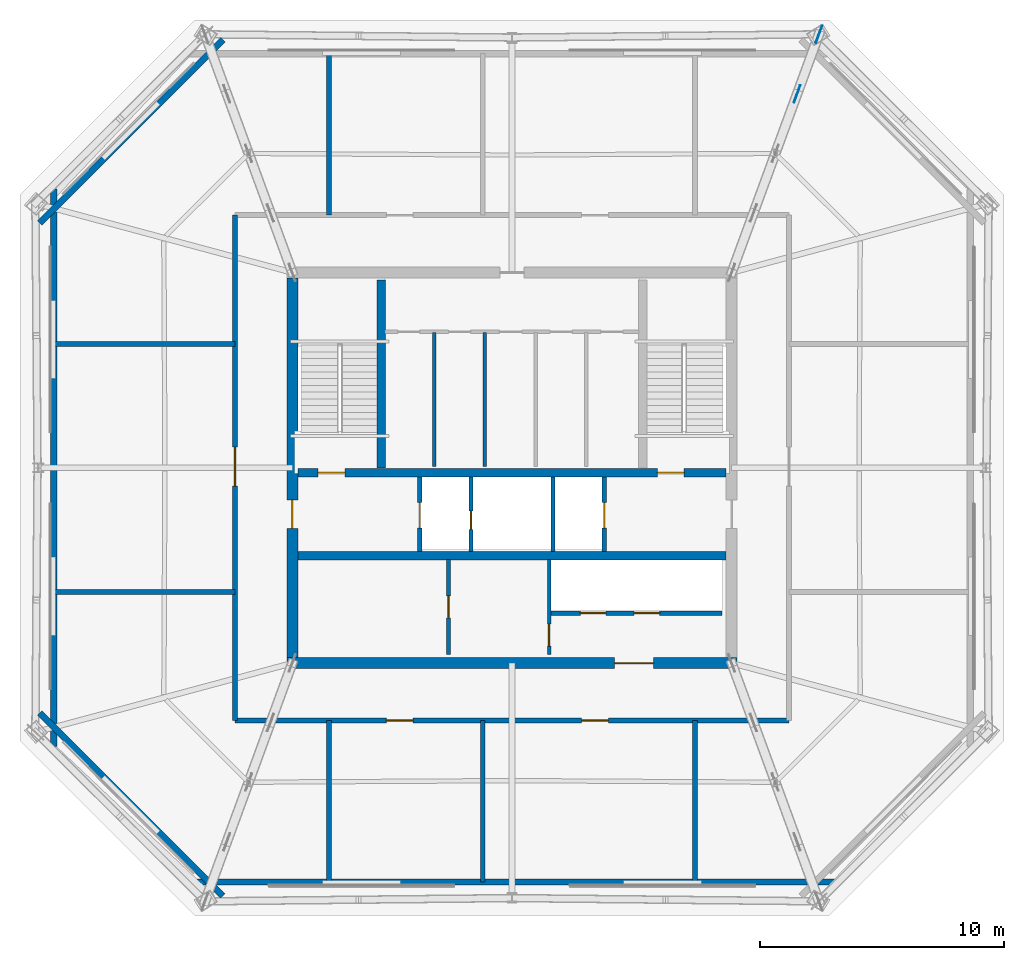
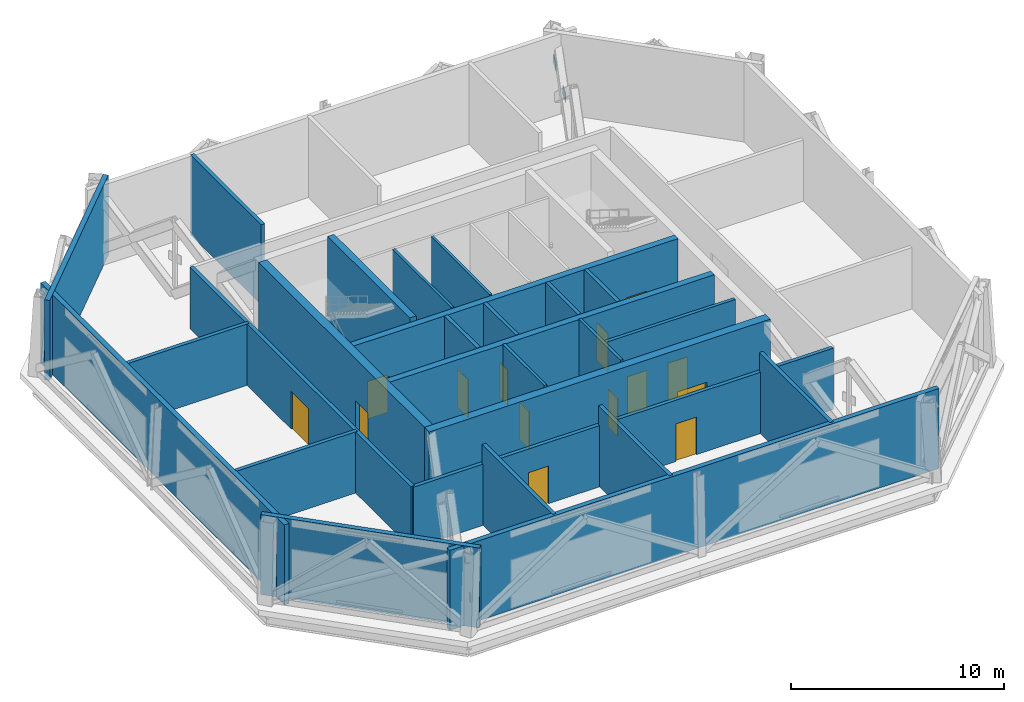
# One storey, part 7 of 10: 26 walls, 14 doors, 2 plates, 14 openings.
"""IFC4 building model written with IfcOpenShell, lengths in metres."""

import ifcopenshell
import ifcopenshell.guid

model = None  # the IFC model being written
_history = None  # IfcOwnerHistory: only IFC2X3 demands one
_inside = {}  # id of a spatial element -> (the spatial element, [elements in it])
_under = {}  # id of a project, library or spatial element -> (it, [spatial elements below it])
_declared = {}  # id of a project -> (the project, [libraries it declares])
_typed = {}  # id of a type object -> (the type object, [elements of that type])
_made_of = {}  # id of a material, layer set ... -> (it, [elements and type objects made of it])


def new_model(schema):
    """Start an empty IFC model of exactly this schema.

    Asked for "IFC4X3", IfcOpenShell would pick the latest addendum, in which some entities
    have other attributes; the version numbers below select the first issue.
    IFC2X3 requires an IfcOwnerHistory on every rooted entity: one is made here for all.
    """
    global model, _history
    if schema == "IFC4X3":
        model = ifcopenshell.file(schema_version=(4, 3, 0, 0))
    else:
        model = ifcopenshell.file(schema=schema)
    _inside.clear()
    _under.clear()
    _declared.clear()
    _typed.clear()
    _made_of.clear()
    _history = None
    if model.schema == "IFC2X3":
        org = make("IfcOrganization", Name="unknown")
        user = make(
            "IfcPersonAndOrganization",
            ThePerson=make("IfcPerson", FamilyName="unknown"),
            TheOrganization=org,
        )
        app = make(
            "IfcApplication",
            ApplicationDeveloper=org,
            Version="unknown",
            ApplicationFullName="unknown",
            ApplicationIdentifier="unknown",
        )
        _history = make(
            "IfcOwnerHistory",
            OwningUser=user,
            OwningApplication=app,
            ChangeAction="ADDED",
            CreationDate=0,
        )
    return model


def make(cls, **values):
    """One entity of the class cls with the attributes given. An attribute that is None is left unset."""
    return model.create_entity(
        cls, **{name: value for name, value in values.items() if value is not None}
    )


def rooted(cls, **values):
    """An entity with a GlobalId (a new one), such as an element, a storey or a relation."""
    return make(cls, GlobalId=ifcopenshell.guid.new(), OwnerHistory=_history, **values)


def si_unit(unit_type, name, prefix=None):
    """IfcSIUnit, for example si_unit("LENGTHUNIT", "METRE", prefix="MILLI")."""
    return make("IfcSIUnit", UnitType=unit_type, Prefix=prefix, Name=name)


def assignment(units):
    """IfcUnitAssignment: the units of a project."""
    return None if units is None else make("IfcUnitAssignment", Units=units)


def point(xyz):
    """IfcCartesianPoint."""
    return None if xyz is None else make("IfcCartesianPoint", Coordinates=xyz)


def direction(xyz):
    """IfcDirection."""
    return None if xyz is None else make("IfcDirection", DirectionRatios=xyz)


def frame(location, z_axis=None, x_axis=None):
    """IfcAxis2Placement3D, a coordinate frame: its origin and axes. An axis left out is left unset."""
    return make(
        "IfcAxis2Placement3D",
        Location=point(location),
        Axis=direction(z_axis),
        RefDirection=direction(x_axis),
    )


def frame_2d(location, x_axis=None):
    """IfcAxis2Placement2D, a coordinate frame in the plane: its origin and x axis."""
    return make(
        "IfcAxis2Placement2D", Location=point(location), RefDirection=direction(x_axis)
    )


def origin():
    """The frame at (0, 0, 0) with its axes left unset."""
    return frame((0.0, 0.0, 0.0))


def origin_2d():
    """The frame at (0, 0) in the plane with its x axis left unset."""
    return frame_2d((0.0, 0.0))


def place(relative_to, where):
    """IfcLocalPlacement: puts the frame where relative to a parent placement (None: the world)."""
    return make(
        "IfcLocalPlacement", PlacementRelTo=relative_to, RelativePlacement=where
    )


def context(
    kind, dimensions, precision=None, world=None, true_north=None, identifier=None
):
    """IfcGeometricRepresentationContext, for example the 3D "Model" context."""
    return make(
        "IfcGeometricRepresentationContext",
        ContextIdentifier=identifier,
        ContextType=kind,
        CoordinateSpaceDimension=dimensions,
        Precision=precision,
        WorldCoordinateSystem=world,
        TrueNorth=true_north,
    )


def subcontext(parent, identifier, kind, view, scale=None):
    """IfcGeometricRepresentationSubContext, for example "Body" below "Model"."""
    return make(
        "IfcGeometricRepresentationSubContext",
        ContextIdentifier=identifier,
        ContextType=kind,
        ParentContext=parent,
        TargetScale=scale,
        TargetView=view,
    )


def project(units=None, contexts=None):
    """IfcProject with its units and contexts."""
    return rooted(
        "IfcProject",
        Name="project",
        RepresentationContexts=contexts,
        UnitsInContext=assignment(units),
    )


def spatial(cls, under=None, at=None, **own):
    """A site, building, storey or space (cls), placed at a placement, below another one or the project."""
    s = rooted(cls, ObjectPlacement=at, **own)
    if under is not None:
        _under.setdefault(under.id(), (under, []))[1].append(s)
    return s


def profile(cls, at=None, kind="AREA", **sizes):
    """A parametric profile (cls). Its sizes go by their IFC names, for example OverallWidth=200.0."""
    return make(cls, ProfileType=kind, Position=at, **sizes)


def rectangle(**sizes):
    """IfcRectangleProfileDef."""
    return profile("IfcRectangleProfileDef", **sizes)


def extrude(swept, where, along, depth):
    """IfcExtrudedAreaSolid: the profile swept, set in the frame where, extruded along a direction by depth."""
    return make(
        "IfcExtrudedAreaSolid",
        SweptArea=swept,
        Position=where,
        ExtrudedDirection=direction(along),
        Depth=depth,
    )


def shape(context_of_items, identifier, shape_type, items):
    """IfcShapeRepresentation: the items that make up one representation, for example the "Body"."""
    return make(
        "IfcShapeRepresentation",
        ContextOfItems=context_of_items,
        RepresentationIdentifier=identifier,
        RepresentationType=shape_type,
        Items=items,
    )


def material(Name=None, Category=None):
    """IfcMaterial."""
    return make("IfcMaterial", Name=Name, Category=Category)


def layer(
    of_material, thickness, ventilated=None, Name=None, Category=None, Priority=None
):
    """IfcMaterialLayer: one layer of a wall or slab, of a material (None: an air gap)."""
    return make(
        "IfcMaterialLayer",
        Material=of_material,
        LayerThickness=thickness,
        IsVentilated=ventilated,
        Name=Name,
        Category=Category,
        Priority=Priority,
    )


def layer_set(layers, Name=None):
    """IfcMaterialLayerSet."""
    return make("IfcMaterialLayerSet", MaterialLayers=layers, LayerSetName=Name)


def made_of(thing, what):
    """Note that an element or type object is made of a material, layer set ...; save() writes the relation."""
    if what is not None:
        _made_of.setdefault(what.id(), (what, []))[1].append(thing)
    return thing


def type_object(cls, material=None, **own):
    """A type object (cls), such as IfcWallType, which elements share."""
    return made_of(rooted(cls, **own), material)


def element(
    cls,
    number,
    at=None,
    inside=None,
    cuts=None,
    type_object=None,
    material=None,
    context=None,
    identifier="Body",
    shape_type=None,
    held_by="IfcProductDefinitionShape",
    body=None,
    shapes=None,
    **own,
):
    """One element of the class cls, such as IfcWall. Its Tag is "e" and its number.

    at: its placement. inside: the storey or other place that contains it. cuts: it is an
    opening in that element (IfcRelVoidsElement). A single representation is given by context,
    identifier, shape_type and body (its items); several are given by shapes. held_by: the class
    of the entity that holds the representations. save() writes the other relations.
    """
    e = rooted(cls, Tag="e%d" % number, ObjectPlacement=at, **own)
    if body is not None:
        shapes = [shape(context, identifier, shape_type, body)]
    if shapes is not None:
        e.Representation = make(held_by, Representations=shapes)
    if inside is not None:
        _inside.setdefault(inside.id(), (inside, []))[1].append(e)
    if cuts is not None:
        rooted(
            "IfcRelVoidsElement", RelatingBuildingElement=cuts, RelatedOpeningElement=e
        )
    if type_object is not None:
        _typed.setdefault(type_object.id(), (type_object, []))[1].append(e)
    return made_of(e, material)


def fill(opening, filler):
    """IfcRelFillsElement: the door or window that sits in an opening."""
    return rooted(
        "IfcRelFillsElement",
        RelatingOpeningElement=opening,
        RelatedBuildingElement=filler,
    )


def aggregate(whole, parts):
    """IfcRelAggregates: a whole, such as a stair, and the parts it consists of."""
    return rooted("IfcRelAggregates", RelatingObject=whole, RelatedObjects=parts)


def save(model, path):
    """Write the relations noted so far, then the file.

    IfcRelAggregates (storeys below a building ...), IfcRelContainedInSpatialStructure (elements
    in a storey), IfcRelDefinesByType, IfcRelAssociatesMaterial and IfcRelDeclares: one each for
    every whole, place, type object, material and project.
    """
    for whole, parts in _under.values():
        aggregate(whole, parts)
    for where, things in _inside.values():
        rooted(
            "IfcRelContainedInSpatialStructure",
            RelatedElements=things,
            RelatingStructure=where,
        )
    for kind, things in _typed.values():
        rooted("IfcRelDefinesByType", RelatedObjects=things, RelatingType=kind)
    for what, things in _made_of.values():
        rooted("IfcRelAssociatesMaterial", RelatedObjects=things, RelatingMaterial=what)
    for by, libraries in _declared.values():
        rooted("IfcRelDeclares", RelatingContext=by, RelatedDefinitions=libraries)
    model.write(path)


model = new_model("IFC4")

# Units and contexts
model_context = context("Model", 3, precision=1e-05, world=origin(), true_north=direction((0.0, 1.0)))
body_context = subcontext(model_context, "Body", "Model", "MODEL_VIEW")
ifc_project = project(units=[si_unit("LENGTHUNIT", "METRE"), si_unit("AREAUNIT", "SQUARE_METRE"), si_unit("VOLUMEUNIT", "CUBIC_METRE"), si_unit("PLANEANGLEUNIT", "RADIAN"), si_unit("MASSUNIT", "GRAM", prefix="KILO")], contexts=[model_context])

# Site, building, storey
site_placement = place(None, origin())
site = spatial("IfcSite", under=ifc_project, at=site_placement, CompositionType="ELEMENT")
building_placement = place(site_placement, origin())
building = spatial("IfcBuilding", under=site, at=building_placement, Name="Caelvoria Tower", CompositionType="ELEMENT")
storey_placement = place(building_placement, frame((0.0, 0.0, 234.60009765625)))
storey = spatial("IfcBuildingStorey", under=building, at=storey_placement, Name="L62", CompositionType="ELEMENT", Elevation=234.60009765625)

# Plates
ifc_material_1 = material(Name="Structural Steel ASTM A572 Gr.50", Category="steel")
ifc_layer_1 = layer(ifc_material_1, 0.035888671875, Name="Structural Steel ASTM A572 Gr.50")
ifc_layer_set_1 = layer_set([ifc_layer_1], Name="Outrigger Node Gusset Plate 750x500x36 - Structural Steel ASTM A572 Gr.50")
plate_type = type_object("IfcPlateType", Name="Outrigger Node Gusset Plate 750x500x36", PredefinedType="USERDEFINED", material=ifc_layer_set_1)
for number, where, z_axis, x_axis, name in (
    (1, (58.57470703125, 49.7578125, 2.037353515625), (0.0, 0.0, 1.0), (0.343992395829, 0.938972433894, 0.0), "Outrigger Gusset Plate END L62-NE"),
    (2, (57.68115234375, 47.318359375, 2.037353515625), (0.0, 0.0, 1.0), (0.343992395829, 0.938972433894, 0.0), "Outrigger Gusset Plate X2 L62-NE"),
):
    element("IfcPlate", number, at=place(storey_placement, frame(where, z_axis=z_axis, x_axis=x_axis)), inside=storey, type_object=plate_type, Name=name, ObjectType="GUSSET_PLATE", PredefinedType="USERDEFINED", context=body_context, shape_type="SweptSolid", body=[
        extrude(rectangle(XDim=0.75, YDim=0.035888671875, at=origin_2d()), origin(), (0.0, 0.0, 1.0), 0.5),
    ])

# Wall, openings, doors
ifc_material_2 = material(Name="Concrete C50/60", Category="concrete")
ifc_layer_2 = layer(ifc_material_2, 0.35009765625, Name="Concrete C50/60")
ifc_layer_set_2 = layer_set([ifc_layer_2], Name="Core Internal Shear Wall 350 - Concrete C50/60")
wall_type_1 = type_object("IfcWallType", Name="Core Internal Shear Wall 350", PredefinedType="SHEAR", material=ifc_layer_set_2)
wall_1_placement = place(storey_placement, frame((37.22509765625, 31.800048828125, 0.0), z_axis=(0.0, 0.0, 1.0), x_axis=(1.0, 0.0, 0.0)))
wall_1 = element("IfcWall", 3, at=wall_1_placement, inside=storey, type_object=wall_type_1, Name="Core Shear Wall L62 M1", PredefinedType="SHEAR", context=body_context, shape_type="SweptSolid", body=[
    extrude(rectangle(XDim=17.5498046875, YDim=0.35009765625, at=frame_2d((8.77490234375, 0.0))), origin(), (0.0, 0.0, 1.0), 4.559814453125),
])
opening_1_placement = place(wall_1_placement, frame((0.824951171875, 0.0, 0.0)))
opening_1 = element("IfcOpeningElement", 4, at=opening_1_placement, cuts=wall_1, Name="Opening ID-01", PredefinedType="OPENING", context=body_context, shape_type="SweptSolid", body=[
    extrude(rectangle(XDim=1.10009765625, YDim=2.14990234375, at=frame_2d((0.550048828125, 1.074951171875))), frame((0.0, 0.18505859375, 0.0), z_axis=(0.0, -1.0, 0.0), x_axis=(1.0, 0.0, 0.0)), (0.0, 0.0, 1.0), 0.3701171875),
])
opening_2_placement = place(wall_1_placement, frame((14.72509765625, 0.0, 0.0)))
opening_2 = element("IfcOpeningElement", 5, at=opening_2_placement, cuts=wall_1, Name="Opening ID-01", PredefinedType="OPENING", context=body_context, shape_type="SweptSolid", body=[
    extrude(rectangle(XDim=1.10009765625, YDim=2.14990234375, at=frame_2d((0.550048828125, 1.074951171875))), frame((0.0, 0.18505859375, 0.0), z_axis=(0.0, -1.0, 0.0), x_axis=(1.0, 0.0, 0.0)), (0.0, 0.0, 1.0), 0.3701171875),
])
ifc_material_3 = material(Name="Painted Hollow Steel Fire Door", Category="steel")
door_type_1 = type_object("IfcDoorType", Name="Fire Door FD90S 1100x2150", OperationType="NOTDEFINED", PredefinedType="DOOR", material=ifc_material_3)
door_1_placement = place(opening_1_placement, origin())
door_1 = element("IfcDoor", 6, at=door_1_placement, inside=storey, type_object=door_type_1, Name="Core Door DR-L62-ST1", OperationType="SINGLE_SWING_LEFT", OverallHeight=2.14990234375, OverallWidth=1.10009765625, PredefinedType="DOOR", context=body_context, shape_type="SweptSolid", body=[
    extrude(rectangle(XDim=1.10009765625, YDim=2.14990234375, at=frame_2d((0.550048828125, 1.074951171875))), frame((0.0, 0.02490234375, 0.0), z_axis=(0.0, -1.0, 0.0), x_axis=(1.0, 0.0, 0.0)), (0.0, 0.0, 1.0), 0.050048828125),
])
fill(opening_1, door_1)
door_2_placement = place(opening_2_placement, origin())
door_2 = element("IfcDoor", 7, at=door_2_placement, inside=storey, type_object=door_type_1, Name="Core Door DR-L62-ST2", OperationType="SINGLE_SWING_RIGHT", OverallHeight=2.14990234375, OverallWidth=1.10009765625, PredefinedType="DOOR", context=body_context, shape_type="SweptSolid", body=[
    extrude(rectangle(XDim=1.10009765625, YDim=2.14990234375, at=frame_2d((0.550048828125, 1.074951171875))), frame((0.0, 0.02490234375, 0.0), z_axis=(0.0, -1.0, 0.0), x_axis=(1.0, 0.0, 0.0)), (0.0, 0.0, 1.0), 0.050048828125),
])
fill(opening_2, door_2)

# Walls
wall_2_placement = place(storey_placement, frame((37.22509765625, 28.39990234375, 0.0), z_axis=(0.0, 0.0, 1.0), x_axis=(1.0, 0.0, 0.0)))
element("IfcWall", 8, at=wall_2_placement, inside=storey, type_object=wall_type_1, Name="Core Shear Wall L62 M2", PredefinedType="SHEAR", context=body_context, shape_type="SweptSolid", body=[
    extrude(rectangle(XDim=17.5498046875, YDim=0.35009765625, at=frame_2d((8.77490234375, 0.0))), origin(), (0.0, 0.0, 1.0), 4.559814453125),
])
wall_3_placement = place(storey_placement, frame((40.64990234375, 32.0, 0.0), z_axis=(0.0, 0.0, 1.0), x_axis=(0.0, 1.0, 0.0)))
element("IfcWall", 9, at=wall_3_placement, inside=storey, type_object=wall_type_1, Name="Interior Partition IW-L62-ST1E", PredefinedType="SHEAR", context=body_context, shape_type="SweptSolid", body=[
    extrude(rectangle(XDim=7.699951171875, YDim=0.35009765625, at=frame_2d((3.85009765625, 0.0))), origin(), (0.0, 0.0, 1.0), 4.7998046875),
])
ifc_material_4 = material(Name="Moisture-Resistant Gypsum on Steel Stud", Category="steel")
ifc_layer_3 = layer(ifc_material_4, 0.139892578125, Name="Moisture-Resistant Gypsum on Steel Stud")
ifc_layer_set_3 = layer_set([ifc_layer_3], Name="Core Sanitary Acoustic Partition Wall 140 - Moisture-Resistant Gypsum on Steel Stud")
wall_type_2 = type_object("IfcWallType", Name="Core Sanitary Acoustic Partition Wall 140", PredefinedType="PARTITIONING", material=ifc_layer_set_3)
for number, where, z_axis, x_axis, name in (
    (10, (42.81005859375, 32.050048828125, 0.0), (0.0, 0.0, 1.0), (0.0, 1.0, 0.0), "Interior Partition IW-L62-C1V0"),
    (11, (44.889892578125, 32.050048828125, 0.0), (0.0, 0.0, 1.0), (0.0, 1.0, 0.0), "Interior Partition IW-L62-C1V1"),
):
    element("IfcWall", number, at=place(storey_placement, frame(where, z_axis=z_axis, x_axis=x_axis)), inside=storey, type_object=wall_type_2, Name=name, PredefinedType="PARTITIONING", context=body_context, shape_type="SweptSolid", body=[
        extrude(rectangle(XDim=5.5, YDim=0.139892578125, at=frame_2d((2.75, 0.0))), origin(), (0.0, 0.0, 1.0), 4.574951171875),
    ])

# Wall, opening, door
ifc_material_5 = material(Name="Double Gypsum Board on Steel Stud", Category="steel")
ifc_layer_4 = layer(ifc_material_5, 0.14990234375, Name="Double Gypsum Board on Steel Stud")
ifc_layer_set_4 = layer_set([ifc_layer_4], Name="Core Service Acoustic Partition Wall 150 - Double Gypsum Board on Steel Stud")
wall_type_3 = type_object("IfcWallType", Name="Core Service Acoustic Partition Wall 150", PredefinedType="PARTITIONING", material=ifc_layer_set_4)
wall_4_placement = place(storey_placement, frame((43.39990234375, 24.35009765625, 0.0), z_axis=(0.0, 0.0, 1.0), x_axis=(0.0, 1.0, 0.0)))
wall_4 = element("IfcWall", 12, at=wall_4_placement, inside=storey, type_object=wall_type_3, Name="Interior Partition IW-L62-RECL-MID", PredefinedType="PARTITIONING", context=body_context, shape_type="SweptSolid", body=[
    extrude(rectangle(XDim=3.89990234375, YDim=0.14990234375, at=frame_2d((1.949951171875, 0.0))), origin(), (0.0, 0.0, 1.0), 4.574951171875),
])
opening_3_placement = place(wall_4_placement, frame((1.5, 0.0, 0.0)))
opening_3 = element("IfcOpeningElement", 13, at=opening_3_placement, cuts=wall_4, Name="Opening ID-06", PredefinedType="OPENING", context=body_context, shape_type="SweptSolid", body=[
    extrude(rectangle(XDim=0.89990234375, YDim=2.14990234375, at=frame_2d((0.449951171875, 1.074951171875))), frame((0.0, 0.0849609375, 0.0), z_axis=(0.0, -1.0, 0.0), x_axis=(1.0, 0.0, 0.0)), (0.0, 0.0, 1.0), 0.169921875),
])
ifc_material_6 = material(Name="Engineered Andean Oak Veneer Door", Category="wood")
door_type_2 = type_object("IfcDoorType", Name="Interior Timber Door 900x2150", OperationType="NOTDEFINED", PredefinedType="DOOR", material=ifc_material_6)
door_3_placement = place(opening_3_placement, origin())
door_3 = element("IfcDoor", 14, at=door_3_placement, inside=storey, type_object=door_type_2, Name="Interior Door DR-L62-RECL12", OperationType="SINGLE_SWING_LEFT", OverallHeight=2.14990234375, OverallWidth=0.89990234375, PredefinedType="DOOR", context=body_context, shape_type="SweptSolid", body=[
    extrude(rectangle(XDim=0.89990234375, YDim=2.14990234375, at=frame_2d((0.449951171875, 1.074951171875))), frame((0.0, 0.02490234375, 0.0), z_axis=(0.0, -1.0, 0.0), x_axis=(1.0, 0.0, 0.0)), (0.0, 0.0, 1.0), 0.050048828125),
])
fill(opening_3, door_3)

wall_5_placement = place(storey_placement, frame((47.52001953125, 24.35009765625, 0.0), z_axis=(0.0, 0.0, 1.0), x_axis=(0.0, 1.0, 0.0)))
wall_5 = element("IfcWall", 15, at=wall_5_placement, inside=storey, type_object=wall_type_3, Name="Interior Partition IW-L62-RECL2E", PredefinedType="PARTITIONING", context=body_context, shape_type="SweptSolid", body=[
    extrude(rectangle(XDim=3.89990234375, YDim=0.14990234375, at=frame_2d((1.949951171875, 0.0))), origin(), (0.0, 0.0, 1.0), 4.574951171875),
])
opening_4_placement = place(wall_5_placement, frame((0.35009765625, 0.0, 0.0)))
opening_4 = element("IfcOpeningElement", 16, at=opening_4_placement, cuts=wall_5, Name="Opening ID-04", PredefinedType="OPENING", context=body_context, shape_type="SweptSolid", body=[
    extrude(rectangle(XDim=0.89990234375, YDim=2.14990234375, at=frame_2d((0.449951171875, 1.074951171875))), frame((0.0, 0.0849609375, 0.0), z_axis=(0.0, -1.0, 0.0), x_axis=(1.0, 0.0, 0.0)), (0.0, 0.0, 1.0), 0.169921875),
])
ifc_material_7 = material(Name="Acoustic Timber Fire Door", Category="wood")
door_type_3 = type_object("IfcDoorType", Name="Fire Door FD30S 900x2150", OperationType="NOTDEFINED", PredefinedType="DOOR", material=ifc_material_7)
door_4_placement = place(opening_4_placement, origin())
door_4 = element("IfcDoor", 17, at=door_4_placement, inside=storey, type_object=door_type_3, Name="Interior Door DR-L62-RECL2", OperationType="SINGLE_SWING_RIGHT", OverallHeight=2.14990234375, OverallWidth=0.89990234375, PredefinedType="DOOR", context=body_context, shape_type="SweptSolid", body=[
    extrude(rectangle(XDim=0.89990234375, YDim=2.14990234375, at=frame_2d((0.449951171875, 1.074951171875))), frame((0.0, 0.02490234375, 0.0), z_axis=(0.0, -1.0, 0.0), x_axis=(1.0, 0.0, 0.0)), (0.0, 0.0, 1.0), 0.050048828125),
])
fill(opening_4, door_4)

ifc_material_8 = material(Name="Concrete Block and Fireboard Assembly", Category="concrete")
ifc_layer_5 = layer(ifc_material_8, 0.179931640625, Name="Concrete Block and Fireboard Assembly")
ifc_layer_set_5 = layer_set([ifc_layer_5], Name="Fire-Rated Hoistway Partition Wall 180 - Concrete Block and Fireboard Assembly")
wall_type_4 = type_object("IfcWallType", Name="Fire-Rated Hoistway Partition Wall 180", PredefinedType="PARTITIONING", material=ifc_layer_set_5)
wall_6_placement = place(storey_placement, frame((44.320068359375, 28.580078125, 0.0), z_axis=(0.0, 0.0, 1.0), x_axis=(0.0, 1.0, 0.0)))
wall_6 = element("IfcWall", 18, at=wall_6_placement, inside=storey, type_object=wall_type_4, Name="Interior Partition IW-L62-SV1W", PredefinedType="PARTITIONING", context=body_context, shape_type="SweptSolid", body=[
    extrude(rectangle(XDim=3.0400390625, YDim=0.179931640625, at=frame_2d((1.52001953125, 0.0))), origin(), (0.0, 0.0, 1.0), 4.574951171875),
])
opening_5_placement = place(wall_6_placement, frame((0.89990234375, 0.0, 0.0)))
opening_5 = element("IfcOpeningElement", 19, at=opening_5_placement, cuts=wall_6, Name="Opening TD-01", PredefinedType="OPENING", context=body_context, shape_type="SweptSolid", body=[
    extrude(rectangle(XDim=0.75, YDim=2.0, at=frame_2d((0.375, 1.0))), frame((0.0, 0.099853515625, 0.0), z_axis=(0.0, -1.0, 0.0), x_axis=(1.0, 0.0, 0.0)), (0.0, 0.0, 1.0), 0.199951171875),
])
ifc_material_9 = material(Name="Insulated Steel Service Access Trapdoor", Category="steel")
door_type_4 = type_object("IfcDoorType", Name="Riser Maintenance Access Trapdoor 750x1850", OperationType="NOTDEFINED", PredefinedType="TRAPDOOR", material=ifc_material_9)
door_5_placement = place(opening_5_placement, origin())
door_5 = element("IfcDoor", 20, at=door_5_placement, inside=storey, type_object=door_type_4, Name="Wet Riser Access Trapdoor L62", OperationType="SINGLE_SWING_LEFT", OverallHeight=2.0, OverallWidth=0.75, PredefinedType="TRAPDOOR", context=body_context, shape_type="SweptSolid", body=[
    extrude(rectangle(XDim=0.75, YDim=2.0, at=frame_2d((0.375, 1.0))), frame((0.0, 0.02490234375, 0.0), z_axis=(0.0, -1.0, 0.0), x_axis=(1.0, 0.0, 0.0)), (0.0, 0.0, 1.0), 0.050048828125),
])
fill(opening_5, door_5)

# Wall
wall_7_placement = place(storey_placement, frame((47.679931640625, 28.580078125, 0.0), z_axis=(0.0, 0.0, 1.0), x_axis=(0.0, 1.0, 0.0)))
element("IfcWall", 21, at=wall_7_placement, inside=storey, type_object=wall_type_4, Name="Interior Partition IW-L62-SV1E", PredefinedType="PARTITIONING", context=body_context, shape_type="SweptSolid", body=[
    extrude(rectangle(XDim=3.0400390625, YDim=0.179931640625, at=frame_2d((1.52001953125, 0.0))), origin(), (0.0, 0.0, 1.0), 4.574951171875),
])

# Wall, openings, doors
wall_8_placement = place(storey_placement, frame((47.60009765625, 26.050048828125, 0.0), z_axis=(0.0, 0.0, 1.0), x_axis=(1.0, 0.0, 0.0)))
wall_8 = element("IfcWall", 22, at=wall_8_placement, inside=storey, type_object=wall_type_4, Name="Interior Partition IW-L62-LFRONT", PredefinedType="PARTITIONING", context=body_context, shape_type="SweptSolid", body=[
    extrude(rectangle(XDim=7.0, YDim=0.179931640625, at=frame_2d((3.5, 0.0))), origin(), (0.0, 0.0, 1.0), 4.574951171875),
])
opening_6_placement = place(wall_8_placement, frame((1.199951171875, 0.0, 0.0)))
opening_6 = element("IfcOpeningElement", 23, at=opening_6_placement, cuts=wall_8, Name="Opening LD-01", PredefinedType="OPENING", context=body_context, shape_type="SweptSolid", body=[
    extrude(rectangle(XDim=1.050048828125, YDim=2.14990234375, at=frame_2d((0.52490234375, 1.074951171875))), frame((0.0, 0.099853515625, 0.0), z_axis=(0.0, -1.0, 0.0), x_axis=(1.0, 0.0, 0.0)), (0.0, 0.0, 1.0), 0.199951171875),
])
opening_7_placement = place(wall_8_placement, frame((3.39990234375, 0.0, 0.0)))
opening_7 = element("IfcOpeningElement", 24, at=opening_7_placement, cuts=wall_8, Name="Opening LD-01", PredefinedType="OPENING", context=body_context, shape_type="SweptSolid", body=[
    extrude(rectangle(XDim=1.050048828125, YDim=2.14990234375, at=frame_2d((0.52490234375, 1.074951171875))), frame((0.0, 0.099853515625, 0.0), z_axis=(0.0, -1.0, 0.0), x_axis=(1.0, 0.0, 0.0)), (0.0, 0.0, 1.0), 0.199951171875),
])
ifc_material_10 = material(Name="Brushed Bronze Stainless Sliding Landing Door", Category="aluminium")
door_type_5 = type_object("IfcDoorType", Name="Lift Landing Sliding Door 1100x2150", OperationType="NOTDEFINED", PredefinedType="DOOR", material=ifc_material_10)
door_6_placement = place(opening_6_placement, origin())
door_6 = element("IfcDoor", 25, at=door_6_placement, inside=storey, type_object=door_type_5, Name="Interior Door LD-L62-PH1", OperationType="SLIDING_TO_LEFT", OverallHeight=2.14990234375, OverallWidth=1.050048828125, PredefinedType="DOOR", context=body_context, shape_type="SweptSolid", body=[
    extrude(rectangle(XDim=1.050048828125, YDim=2.14990234375, at=frame_2d((0.52490234375, 1.074951171875))), frame((0.0, 0.02490234375, 0.0), z_axis=(0.0, -1.0, 0.0), x_axis=(1.0, 0.0, 0.0)), (0.0, 0.0, 1.0), 0.050048828125),
])
fill(opening_6, door_6)
door_7_placement = place(opening_7_placement, origin())
door_7 = element("IfcDoor", 26, at=door_7_placement, inside=storey, type_object=door_type_5, Name="Interior Door LD-L62-PH2", OperationType="SLIDING_TO_RIGHT", OverallHeight=2.14990234375, OverallWidth=1.050048828125, PredefinedType="DOOR", context=body_context, shape_type="SweptSolid", body=[
    extrude(rectangle(XDim=1.050048828125, YDim=2.14990234375, at=frame_2d((0.52490234375, 1.074951171875))), frame((0.0, 0.02490234375, 0.0), z_axis=(0.0, -1.0, 0.0), x_axis=(1.0, 0.0, 0.0)), (0.0, 0.0, 1.0), 0.050048828125),
])
fill(opening_7, door_7)

# Wall, opening, door
ifc_layer_6 = layer(ifc_material_8, 0.199951171875, Name="Concrete Block and Fireboard Assembly")
ifc_layer_set_6 = layer_set([ifc_layer_6], Name="Fire-Rated Shaft and Core Partition Wall 200 - Concrete Block and Fireboard Assembly")
wall_type_5 = type_object("IfcWallType", Name="Fire-Rated Shaft and Core Partition Wall 200", PredefinedType="PARTITIONING", material=ifc_layer_set_6)
wall_9_placement = place(storey_placement, frame((42.219970703125, 28.580078125, 0.0), z_axis=(0.0, 0.0, 1.0), x_axis=(0.0, 1.0, 0.0)))
wall_9 = element("IfcWall", 27, at=wall_9_placement, inside=storey, type_object=wall_type_5, Name="Interior Partition IW-L62-LF1W", PredefinedType="PARTITIONING", context=body_context, shape_type="SweptSolid", body=[
    extrude(rectangle(XDim=3.0400390625, YDim=0.199951171875, at=frame_2d((1.52001953125, 0.0))), origin(), (0.0, 0.0, 1.0), 4.574951171875),
])
opening_8_placement = place(wall_9_placement, frame((0.949951171875, 0.0, 0.0)))
opening_8 = element("IfcOpeningElement", 28, at=opening_8_placement, cuts=wall_9, Name="Opening LD-01", PredefinedType="OPENING", context=body_context, shape_type="SweptSolid", body=[
    extrude(rectangle(XDim=1.050048828125, YDim=2.14990234375, at=frame_2d((0.52490234375, 1.074951171875))), frame((0.0, 0.10986328125, 0.0), z_axis=(0.0, -1.0, 0.0), x_axis=(1.0, 0.0, 0.0)), (0.0, 0.0, 1.0), 0.219970703125),
])
door_8_placement = place(opening_8_placement, origin())
door_8 = element("IfcDoor", 29, at=door_8_placement, inside=storey, type_object=door_type_5, Name="Interior Door LD-L62-LF1", OperationType="SLIDING_TO_LEFT", OverallHeight=2.14990234375, OverallWidth=1.050048828125, PredefinedType="DOOR", context=body_context, shape_type="SweptSolid", body=[
    extrude(rectangle(XDim=1.050048828125, YDim=2.14990234375, at=frame_2d((0.52490234375, 1.074951171875))), frame((0.0, 0.02490234375, 0.0), z_axis=(0.0, -1.0, 0.0), x_axis=(1.0, 0.0, 0.0)), (0.0, 0.0, 1.0), 0.050048828125),
])
fill(opening_8, door_8)

wall_10_placement = place(storey_placement, frame((49.780029296875, 28.580078125, 0.0), z_axis=(0.0, 0.0, 1.0), x_axis=(0.0, 1.0, 0.0)))
wall_10 = element("IfcWall", 30, at=wall_10_placement, inside=storey, type_object=wall_type_5, Name="Interior Partition IW-L62-LF2E", PredefinedType="PARTITIONING", context=body_context, shape_type="SweptSolid", body=[
    extrude(rectangle(XDim=3.0400390625, YDim=0.199951171875, at=frame_2d((1.52001953125, 0.0))), origin(), (0.0, 0.0, 1.0), 4.574951171875),
])
opening_9_placement = place(wall_10_placement, frame((0.949951171875, 0.0, 0.0)))
opening_9 = element("IfcOpeningElement", 31, at=opening_9_placement, cuts=wall_10, Name="Opening LD-01", PredefinedType="OPENING", context=body_context, shape_type="SweptSolid", body=[
    extrude(rectangle(XDim=1.050048828125, YDim=2.14990234375, at=frame_2d((0.52490234375, 1.074951171875))), frame((0.0, 0.10986328125, 0.0), z_axis=(0.0, -1.0, 0.0), x_axis=(1.0, 0.0, 0.0)), (0.0, 0.0, 1.0), 0.219970703125),
])
door_9_placement = place(opening_9_placement, origin())
door_9 = element("IfcDoor", 32, at=door_9_placement, inside=storey, type_object=door_type_5, Name="Interior Door LD-L62-LF2", OperationType="SLIDING_TO_RIGHT", OverallHeight=2.14990234375, OverallWidth=1.050048828125, PredefinedType="DOOR", context=body_context, shape_type="SweptSolid", body=[
    extrude(rectangle(XDim=1.050048828125, YDim=2.14990234375, at=frame_2d((0.52490234375, 1.074951171875))), frame((0.0, 0.02490234375, 0.0), z_axis=(0.0, -1.0, 0.0), x_axis=(1.0, 0.0, 0.0)), (0.0, 0.0, 1.0), 0.050048828125),
])
fill(opening_9, door_9)

# Walls
for number, where, z_axis, x_axis, name in (
    (33, (44.800048828125, 15.034423828125, 0.0), (0.0, 0.0, 1.0), (0.0, 1.0, 0.0), "Interior Partition IW-L62-PLT-SM"),
    (34, (38.5, 15.034423828125, 0.0), (0.0, 0.0, 1.0), (0.0, 1.0, 0.0), "Interior Partition IW-L62-OCH-SWS"),
    (35, (38.5, 42.35009765625, 0.0), (0.0, 0.0, 1.0), (0.0, 1.0, 0.0), "Interior Partition IW-L62-OCH-SWN"),
    (36, (53.5, 15.034423828125, 0.0), (0.0, 0.0, 1.0), (0.0, 1.0, 0.0), "Interior Partition IW-L62-OCH-SES"),
):
    element("IfcWall", number, at=place(storey_placement, frame(where, z_axis=z_axis, x_axis=x_axis)), inside=storey, type_object=wall_type_5, Name=name, PredefinedType="PARTITIONING", context=body_context, shape_type="SweptSolid", body=[
        extrude(rectangle(XDim=6.615478515625, YDim=0.199951171875, at=frame_2d((3.3076171875, 0.0))), origin(), (0.0, 0.0, 1.0), 4.574951171875),
    ])

# Wall, openings, doors
wall_11_placement = place(storey_placement, frame((34.64990234375, 21.64990234375, 0.0), z_axis=(0.0, 0.0, 1.0), x_axis=(1.0, 0.0, 0.0)))
wall_11 = element("IfcWall", 37, at=wall_11_placement, inside=storey, type_object=wall_type_5, Name="Interior Partition IW-L62-CRS", PredefinedType="PARTITIONING", context=body_context, shape_type="SweptSolid", body=[
    extrude(rectangle(XDim=22.7001953125, YDim=0.199951171875, at=frame_2d((11.35009765625, 0.0))), origin(), (0.0, 0.0, 1.0), 3.5048828125),
])
opening_10_placement = place(wall_11_placement, frame((6.199951171875, 0.0, 0.0)))
opening_10 = element("IfcOpeningElement", 38, at=opening_10_placement, cuts=wall_11, Name="Opening ID-01", PredefinedType="OPENING", context=body_context, shape_type="SweptSolid", body=[
    extrude(rectangle(XDim=1.10009765625, YDim=2.14990234375, at=frame_2d((0.550048828125, 1.074951171875))), frame((0.0, 0.10986328125, 0.0), z_axis=(0.0, -1.0, 0.0), x_axis=(1.0, 0.0, 0.0)), (0.0, 0.0, 1.0), 0.219970703125),
])
opening_11_placement = place(wall_11_placement, frame((14.199951171875, 0.0, 0.0)))
opening_11 = element("IfcOpeningElement", 39, at=opening_11_placement, cuts=wall_11, Name="Opening ID-01", PredefinedType="OPENING", context=body_context, shape_type="SweptSolid", body=[
    extrude(rectangle(XDim=1.10009765625, YDim=2.14990234375, at=frame_2d((0.550048828125, 1.074951171875))), frame((0.0, 0.10986328125, 0.0), z_axis=(0.0, -1.0, 0.0), x_axis=(1.0, 0.0, 0.0)), (0.0, 0.0, 1.0), 0.219970703125),
])
door_10_placement = place(opening_10_placement, origin())
door_10 = element("IfcDoor", 40, at=door_10_placement, inside=storey, type_object=door_type_1, Name="Interior Door DR-L62-PLTS1", OperationType="SINGLE_SWING_LEFT", OverallHeight=2.14990234375, OverallWidth=1.10009765625, PredefinedType="DOOR", context=body_context, shape_type="SweptSolid", body=[
    extrude(rectangle(XDim=1.10009765625, YDim=2.14990234375, at=frame_2d((0.550048828125, 1.074951171875))), frame((0.0, 0.02490234375, 0.0), z_axis=(0.0, -1.0, 0.0), x_axis=(1.0, 0.0, 0.0)), (0.0, 0.0, 1.0), 0.050048828125),
])
fill(opening_10, door_10)
door_11_placement = place(opening_11_placement, origin())
door_11 = element("IfcDoor", 41, at=door_11_placement, inside=storey, type_object=door_type_1, Name="Interior Door DR-L62-PLTS2", OperationType="SINGLE_SWING_RIGHT", OverallHeight=2.14990234375, OverallWidth=1.10009765625, PredefinedType="DOOR", context=body_context, shape_type="SweptSolid", body=[
    extrude(rectangle(XDim=1.10009765625, YDim=2.14990234375, at=frame_2d((0.550048828125, 1.074951171875))), frame((0.0, 0.02490234375, 0.0), z_axis=(0.0, -1.0, 0.0), x_axis=(1.0, 0.0, 0.0)), (0.0, 0.0, 1.0), 0.050048828125),
])
fill(opening_11, door_11)

# Wall, opening, door
wall_12_placement = place(storey_placement, frame((34.64990234375, 21.64990234375, 0.0), z_axis=(0.0, 0.0, 1.0), x_axis=(0.0, 1.0, 0.0)))
wall_12 = element("IfcWall", 42, at=wall_12_placement, inside=storey, type_object=wall_type_5, Name="Interior Partition IW-L62-CRW", PredefinedType="PARTITIONING", context=body_context, shape_type="SweptSolid", body=[
    extrude(rectangle(XDim=20.7001953125, YDim=0.199951171875, at=frame_2d((10.35009765625, 0.0))), origin(), (0.0, 0.0, 1.0), 3.5048828125),
])
opening_12_placement = place(wall_12_placement, frame((9.60009765625, 0.0, 0.0)))
opening_12 = element("IfcOpeningElement", 43, at=opening_12_placement, cuts=wall_12, Name="Opening ID-08", PredefinedType="OPENING", context=body_context, shape_type="SweptSolid", body=[
    extrude(rectangle(XDim=1.60009765625, YDim=2.14990234375, at=frame_2d((0.800048828125, 1.074951171875))), frame((0.0, 0.10986328125, 0.0), z_axis=(0.0, -1.0, 0.0), x_axis=(1.0, 0.0, 0.0)), (0.0, 0.0, 1.0), 0.219970703125),
])
ifc_material_11 = material(Name="Bronze-Framed Fire-Rated Glazed Double Door", Category="aluminium")
door_type_6 = type_object("IfcDoorType", Name="Double Lobby Glazed Door 1600x2200", OperationType="NOTDEFINED", PredefinedType="DOOR", material=ifc_material_11)
door_12_placement = place(opening_12_placement, origin())
door_12 = element("IfcDoor", 44, at=door_12_placement, inside=storey, type_object=door_type_6, Name="Interior Door DR-L62-REFW", OperationType="DOUBLE_DOOR_SINGLE_SWING", OverallHeight=2.14990234375, OverallWidth=1.60009765625, PredefinedType="DOOR", context=body_context, shape_type="SweptSolid", body=[
    extrude(rectangle(XDim=1.60009765625, YDim=2.14990234375, at=frame_2d((0.800048828125, 1.074951171875))), frame((0.0, 0.02490234375, 0.0), z_axis=(0.0, -1.0, 0.0), x_axis=(1.0, 0.0, 0.0)), (0.0, 0.0, 1.0), 0.050048828125),
])
fill(opening_12, door_12)

# Walls
for number, where, z_axis, x_axis, name in (
    (45, (27.2255859375, 26.919921875, 0.0), (0.0, 0.0, 1.0), (1.0, 0.0, 0.0), "Interior Partition IW-L62-RSEP-WS"),
    (46, (27.2255859375, 37.080078125, 0.0), (0.0, 0.0, 1.0), (1.0, 0.0, 0.0), "Interior Partition IW-L62-RSEP-WN"),
):
    element("IfcWall", number, at=place(storey_placement, frame(where, z_axis=z_axis, x_axis=x_axis)), inside=storey, type_object=wall_type_5, Name=name, PredefinedType="PARTITIONING", context=body_context, shape_type="SweptSolid", body=[
        extrude(rectangle(XDim=7.42431640625, YDim=0.199951171875, at=frame_2d((3.712158203125, 0.0))), origin(), (0.0, 0.0, 1.0), 3.5048828125),
    ])
ifc_material_12 = material(Name="Precast Concrete C40/50", Category="concrete")
ifc_layer_7 = layer(ifc_material_12, 0.260009765625, Name="Precast Concrete C40/50")
ifc_layer_set_7 = layer_set([ifc_layer_7], Name="Plant Room Acoustic Louvred Facade Wall 260 - Precast Concrete C40/50")
wall_type_6 = type_object("IfcWallType", Name="Plant Room Acoustic Louvred Facade Wall 260", PredefinedType="STANDARD", material=ifc_layer_set_7)
wall_13_placement = place(storey_placement, frame((32.76904296875, 15.034423828125, 0.0), z_axis=(0.0, 0.0, 1.0), x_axis=(1.0, 0.0, 0.0)))
element("IfcWall", 47, at=wall_13_placement, inside=storey, type_object=wall_type_6, Name="Exterior Facade Wall L62-E0", PredefinedType="STANDARD", context=body_context, shape_type="SweptSolid", body=[
    extrude(rectangle(XDim=26.4619140625, YDim=0.260009765625, at=frame_2d((13.23095703125, 0.0))), origin(), (0.0, 0.0, 1.0), 4.574951171875),
])
wall_14_placement = place(storey_placement, frame((34.154541015625, 49.539306640625, 0.0), z_axis=(0.0, 0.0, 1.0), x_axis=(-0.707106781187, -0.707106781187, 0.0)))
element("IfcWall", 48, at=wall_14_placement, inside=storey, type_object=wall_type_6, Name="Exterior Facade Wall L62-E5", PredefinedType="STANDARD", context=body_context, shape_type="SweptSolid", body=[
    extrude(rectangle(XDim=10.61083984375, YDim=0.260009765625, at=frame_2d((5.305419921875, 0.0))), origin(), (0.0, 0.0, 1.0), 4.574951171875),
])
wall_15_placement = place(storey_placement, frame((27.2255859375, 43.421875, 0.0), z_axis=(0.0, 0.0, 1.0), x_axis=(0.0, -1.0, 0.0)))
element("IfcWall", 49, at=wall_15_placement, inside=storey, type_object=wall_type_6, Name="Exterior Facade Wall L62-E6", PredefinedType="STANDARD", context=body_context, shape_type="SweptSolid", body=[
    extrude(rectangle(XDim=22.84375, YDim=0.260009765625, at=frame_2d((11.421875, 0.0))), origin(), (0.0, 0.0, 1.0), 4.574951171875),
])
wall_16_placement = place(storey_placement, frame((26.651611328125, 21.963623046875, 0.0), z_axis=(0.0, 0.0, 1.0), x_axis=(0.707106781187, -0.707106781187, 0.0)))
element("IfcWall", 50, at=wall_16_placement, inside=storey, type_object=wall_type_6, Name="Exterior Facade Wall L62-E7", PredefinedType="STANDARD", context=body_context, shape_type="SweptSolid", body=[
    extrude(rectangle(XDim=10.61083984375, YDim=0.260009765625, at=frame_2d((5.305419921875, 0.0))), origin(), (0.0, 0.0, 1.0), 4.574951171875),
])

# Wall, opening, door
ifc_layer_8 = layer(ifc_material_2, 0.449951171875, Name="Concrete C50/60")
ifc_layer_set_8 = layer_set([ifc_layer_8], Name="Upper Core Shear Wall 450 - Concrete C50/60")
wall_type_7 = type_object("IfcWallType", Name="Upper Core Shear Wall 450", PredefinedType="SHEAR", material=ifc_layer_set_8)
wall_17_placement = place(storey_placement, frame((36.77490234375, 24.0, 0.0), z_axis=(0.0, 0.0, 1.0), x_axis=(1.0, 0.0, 0.0)))
wall_17 = element("IfcWall", 51, at=wall_17_placement, inside=storey, type_object=wall_type_7, Name="Core Shear Wall L62 S", PredefinedType="SHEAR", context=body_context, shape_type="SweptSolid", body=[
    extrude(rectangle(XDim=18.4501953125, YDim=0.449951171875, at=frame_2d((9.22509765625, 0.0))), origin(), (0.0, 0.0, 1.0), 4.559814453125),
])
opening_13_placement = place(wall_17_placement, frame((13.425048828125, 0.0, 0.0)))
opening_13 = element("IfcOpeningElement", 52, at=opening_13_placement, cuts=wall_17, Name="Opening ID-08", PredefinedType="OPENING", context=body_context, shape_type="SweptSolid", body=[
    extrude(rectangle(XDim=1.60009765625, YDim=2.14990234375, at=frame_2d((0.800048828125, 1.074951171875))), frame((0.0, 0.23486328125, 0.0), z_axis=(0.0, -1.0, 0.0), x_axis=(1.0, 0.0, 0.0)), (0.0, 0.0, 1.0), 0.469970703125),
])
door_13_placement = place(opening_13_placement, origin())
door_13 = element("IfcDoor", 53, at=door_13_placement, inside=storey, type_object=door_type_6, Name="Core Door DR-L62-LLOB-S2", OperationType="DOUBLE_DOOR_SINGLE_SWING", OverallHeight=2.14990234375, OverallWidth=1.60009765625, PredefinedType="DOOR", context=body_context, shape_type="SweptSolid", body=[
    extrude(rectangle(XDim=1.60009765625, YDim=2.14990234375, at=frame_2d((0.800048828125, 1.074951171875))), frame((0.0, 0.02490234375, 0.0), z_axis=(0.0, -1.0, 0.0), x_axis=(1.0, 0.0, 0.0)), (0.0, 0.0, 1.0), 0.050048828125),
])
fill(opening_13, door_13)

wall_18_placement = place(storey_placement, frame((37.0, 24.22509765625, 0.0), z_axis=(0.0, 0.0, 1.0), x_axis=(0.0, 1.0, 0.0)))
wall_18 = element("IfcWall", 54, at=wall_18_placement, inside=storey, type_object=wall_type_7, Name="Core Shear Wall L62 W", PredefinedType="SHEAR", context=body_context, shape_type="SweptSolid", body=[
    extrude(rectangle(XDim=15.5498046875, YDim=0.449951171875, at=frame_2d((7.77490234375, 0.0))), origin(), (0.0, 0.0, 1.0), 4.559814453125),
])
opening_14_placement = place(wall_18_placement, frame((5.300048828125, 0.0, 0.0)))
opening_14 = element("IfcOpeningElement", 55, at=opening_14_placement, cuts=wall_18, Name="Opening ID-02", PredefinedType="OPENING", context=body_context, shape_type="SweptSolid", body=[
    extrude(rectangle(XDim=1.14990234375, YDim=2.14990234375, at=frame_2d((0.574951171875, 1.074951171875))), frame((0.0, 0.23486328125, 0.0), z_axis=(0.0, -1.0, 0.0), x_axis=(1.0, 0.0, 0.0)), (0.0, 0.0, 1.0), 0.469970703125),
])
door_type_7 = type_object("IfcDoorType", Name="Fire Door FD60S 1150x2150", OperationType="NOTDEFINED", PredefinedType="DOOR", material=ifc_material_3)
door_14_placement = place(opening_14_placement, origin())
door_14 = element("IfcDoor", 56, at=door_14_placement, inside=storey, type_object=door_type_7, Name="Core Door DR-L62-FFLW-OUT", OperationType="SINGLE_SWING_LEFT", OverallHeight=2.14990234375, OverallWidth=1.14990234375, PredefinedType="DOOR", context=body_context, shape_type="SweptSolid", body=[
    extrude(rectangle(XDim=1.14990234375, YDim=2.14990234375, at=frame_2d((0.574951171875, 1.074951171875))), frame((0.0, 0.02490234375, 0.0), z_axis=(0.0, -1.0, 0.0), x_axis=(1.0, 0.0, 0.0)), (0.0, 0.0, 1.0), 0.050048828125),
])
fill(opening_14, door_14)

save(model, "model.ifc")
